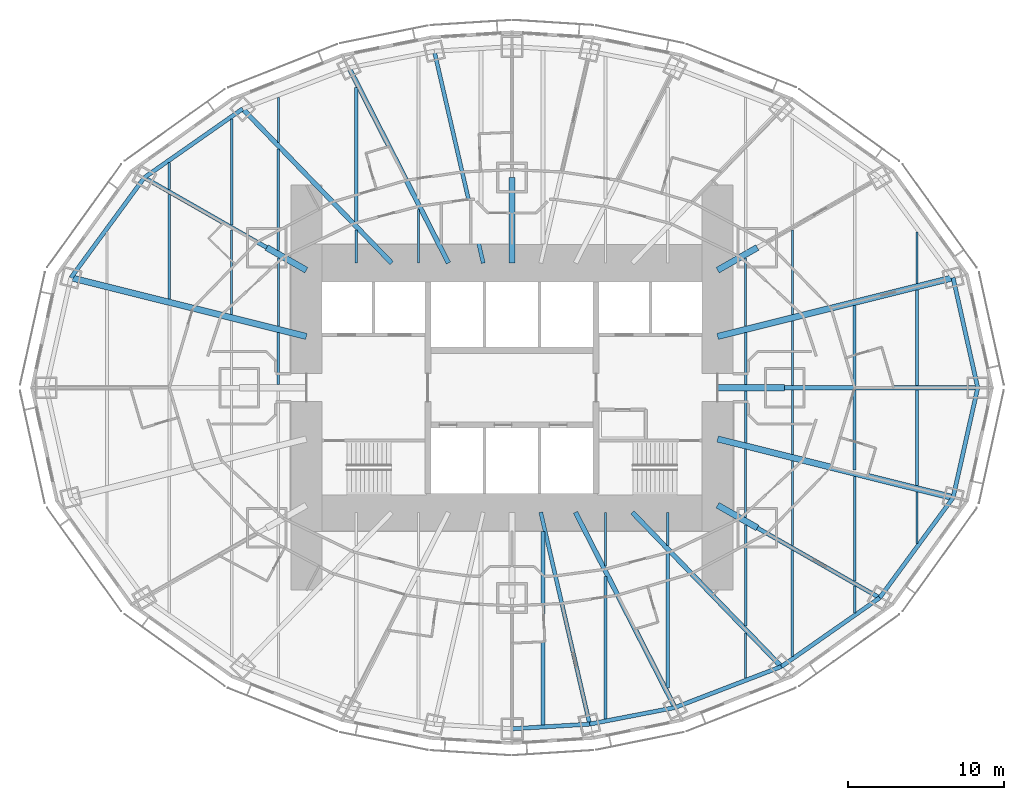
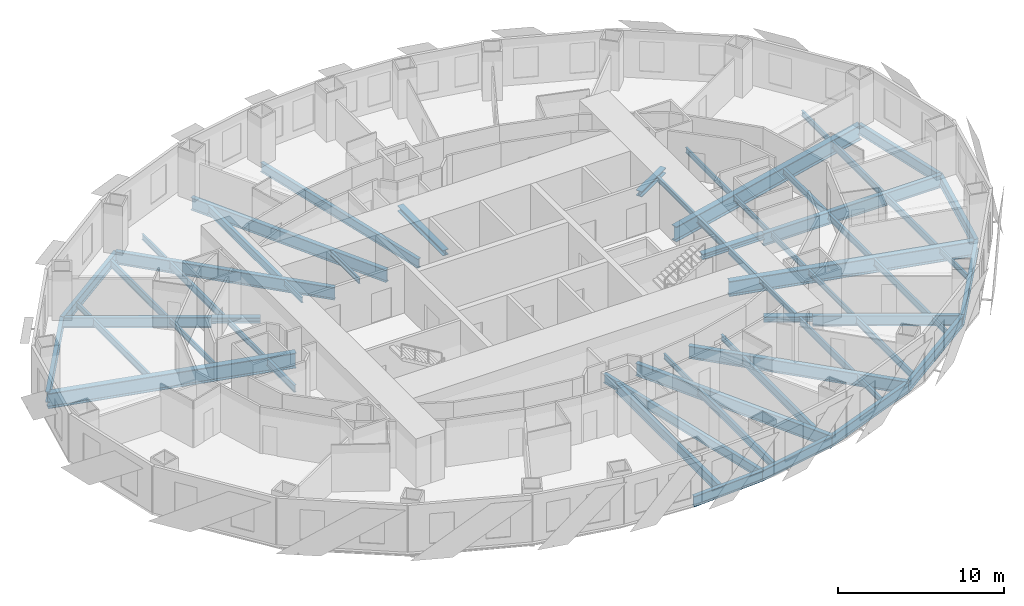
# One storey, part 2 of 15: 61 beams.
"""IFC4 building model written with IfcOpenShell, lengths in metres."""

from ifc_helpers import new_model, si_unit, direction, frame, origin, origin_2d, place, context, subcontext, project, spatial, i_section, extrude, material, material_profile, profile_set, type_object, element, save


model = new_model("IFC4")

# Units and contexts
model_context = context("Model", 3, precision=1e-05, world=origin(), true_north=direction((0.0, 1.0)))
body_context = subcontext(model_context, "Body", "Model", "MODEL_VIEW")
ifc_project = project(units=[si_unit("LENGTHUNIT", "METRE"), si_unit("AREAUNIT", "SQUARE_METRE"), si_unit("VOLUMEUNIT", "CUBIC_METRE"), si_unit("PLANEANGLEUNIT", "RADIAN"), si_unit("MASSUNIT", "GRAM", prefix="KILO")], contexts=[model_context])

# Site, building, storey
site_placement = place(None, origin())
site = spatial("IfcSite", under=ifc_project, at=site_placement, CompositionType="ELEMENT")
building_placement = place(site_placement, origin())
building = spatial("IfcBuilding", under=site, at=building_placement, Name="Lantaw Convention Tower", CompositionType="ELEMENT")
storey_placement = place(building_placement, frame((0.0, 0.0, 80.199951171875)))
storey = spatial("IfcBuildingStorey", under=building, at=storey_placement, Name="L18", CompositionType="ELEMENT", Elevation=80.199951171875)

# Beams
ifc_material = material(Name="Steel ASTM A992", Category="steel")
ifc_material_profile_1 = material_profile(ifc_material, i_section(OverallWidth=0.2666015625, OverallDepth=0.76953125, WebThickness=0.015625, FlangeThickness=0.025390625, FilletRadius=0.0126953125, at=origin_2d()), Name="W30X132")
ifc_profile_set_1 = profile_set([ifc_material_profile_1], Name="Steel ASTM A992")
beam_type_1 = type_object("IfcBeamType", Name="Beam E W30X132", PredefinedType="SPANDREL", material=ifc_profile_set_1)
beam_1_placement = place(storey_placement, frame((29.89990234375, 0.0, -0.53466796875), z_axis=(-0.218652184873, 0.975802860239, 0.0), x_axis=(-0.975802860239, -0.218652184873, 0.0)))
element("IfcBeam", 1, at=beam_1_placement, inside=storey, type_object=beam_type_1, Name="Edge beam 1", PredefinedType="SPANDREL", context=body_context, shape_type="SweptSolid", body=[
    extrude(i_section(OverallWidth=0.2666015625, OverallDepth=0.76953125, WebThickness=0.015625, FlangeThickness=0.025390625, FilletRadius=0.0126953125, at=origin_2d()), origin(), (0.0, 0.0, 1.0), 7.2353515625),
])
beam_2_placement = place(storey_placement, frame((-17.290771484375, 17.9052734375, -0.53466796875), z_axis=(-0.81942686407, -0.57318375277, 0.0), x_axis=(0.57318375277, -0.81942686407, 0.0)))
element("IfcBeam", 2, at=beam_2_placement, inside=storey, type_object=beam_type_1, Name="Edge beam 10", PredefinedType="SPANDREL", context=body_context, shape_type="SweptSolid", body=[
    extrude(i_section(OverallWidth=0.2666015625, OverallDepth=0.76953125, WebThickness=0.015625, FlangeThickness=0.025390625, FilletRadius=0.0126953125, at=origin_2d()), origin(), (0.0, 0.0, 1.0), 7.70556640625),
])
beam_3_placement = place(storey_placement, frame((-23.60498046875, 13.488525390625, -0.53466796875), z_axis=(-0.591270709086, -0.806473154281, 0.0), x_axis=(0.806473154281, -0.591270709086, 0.0)))
element("IfcBeam", 3, at=beam_3_placement, inside=storey, type_object=beam_type_1, Name="Edge beam 11", PredefinedType="SPANDREL", context=body_context, shape_type="SweptSolid", body=[
    extrude(i_section(OverallWidth=0.2666015625, OverallDepth=0.76953125, WebThickness=0.015625, FlangeThickness=0.025390625, FilletRadius=0.0126953125, at=origin_2d()), origin(), (0.0, 0.0, 1.0), 7.970703125),
])
beam_4_placement = place(storey_placement, frame((0.0, -21.89990234375, -0.53466796875), z_axis=(0.998173858406, 0.060406526096, 0.0), x_axis=(-0.060406526096, 0.998173858406, 0.0)))
element("IfcBeam", 4, at=beam_4_placement, inside=storey, type_object=beam_type_1, Name="Edge beam 19", PredefinedType="SPANDREL", context=body_context, shape_type="SweptSolid", body=[
    extrude(i_section(OverallWidth=0.2666015625, OverallDepth=0.76953125, WebThickness=0.015625, FlangeThickness=0.025390625, FilletRadius=0.0126953125, at=origin_2d()), origin(), (0.0, 0.0, 1.0), 4.995361328125),
])
beam_5_placement = place(storey_placement, frame((4.986328125, -21.59814453125, -0.53466796875), z_axis=(0.981636565323, 0.190760723474, 0.0), x_axis=(-0.190760723474, 0.981636565323, 0.0)))
element("IfcBeam", 5, at=beam_5_placement, inside=storey, type_object=beam_type_1, Name="Edge beam 20", PredefinedType="SPANDREL", context=body_context, shape_type="SweptSolid", body=[
    extrude(i_section(OverallWidth=0.2666015625, OverallDepth=0.76953125, WebThickness=0.015625, FlangeThickness=0.025390625, FilletRadius=0.0126953125, at=origin_2d()), origin(), (0.0, 0.0, 1.0), 5.578857421875),
])
beam_6_placement = place(storey_placement, frame((10.462646484375, -20.533935546875, -0.53466796875), z_axis=(0.933232900641, 0.359271976588, 0.0), x_axis=(-0.359271976588, 0.933232900641, 0.0)))
element("IfcBeam", 6, at=beam_6_placement, inside=storey, type_object=beam_type_1, Name="Edge beam 21", PredefinedType="SPANDREL", context=body_context, shape_type="SweptSolid", body=[
    extrude(i_section(OverallWidth=0.2666015625, OverallDepth=0.76953125, WebThickness=0.015625, FlangeThickness=0.025390625, FilletRadius=0.0126953125, at=origin_2d()), origin(), (0.0, 0.0, 1.0), 7.316650390625),
])
beam_7_placement = place(storey_placement, frame((17.290771484375, -17.9052734375, -0.53466796875), z_axis=(0.81942686407, 0.57318375277, 0.0), x_axis=(-0.57318375277, 0.81942686407, 0.0)))
element("IfcBeam", 7, at=beam_7_placement, inside=storey, type_object=beam_type_1, Name="Edge beam 22", PredefinedType="SPANDREL", context=body_context, shape_type="SweptSolid", body=[
    extrude(i_section(OverallWidth=0.2666015625, OverallDepth=0.76953125, WebThickness=0.015625, FlangeThickness=0.025390625, FilletRadius=0.0126953125, at=origin_2d()), origin(), (0.0, 0.0, 1.0), 7.70556640625),
])
beam_8_placement = place(storey_placement, frame((23.60498046875, -13.488525390625, -0.53466796875), z_axis=(0.591270709086, 0.806473154281, 0.0), x_axis=(-0.806473154281, 0.591270709086, 0.0)))
element("IfcBeam", 8, at=beam_8_placement, inside=storey, type_object=beam_type_1, Name="Edge beam 23", PredefinedType="SPANDREL", context=body_context, shape_type="SweptSolid", body=[
    extrude(i_section(OverallWidth=0.2666015625, OverallDepth=0.76953125, WebThickness=0.015625, FlangeThickness=0.025390625, FilletRadius=0.0126953125, at=origin_2d()), origin(), (0.0, 0.0, 1.0), 7.970703125),
])
beam_9_placement = place(storey_placement, frame((28.31787109375, -7.060302734375, -0.53466796875), z_axis=(0.218652184873, 0.975802860239, 0.0), x_axis=(-0.975802860239, 0.218652184873, 0.0)))
element("IfcBeam", 9, at=beam_9_placement, inside=storey, type_object=beam_type_1, Name="Edge beam 24", PredefinedType="SPANDREL", context=body_context, shape_type="SweptSolid", body=[
    extrude(i_section(OverallWidth=0.2666015625, OverallDepth=0.76953125, WebThickness=0.015625, FlangeThickness=0.025390625, FilletRadius=0.0126953125, at=origin_2d()), origin(), (0.0, 0.0, 1.0), 7.2353515625),
])
ifc_material_profile_2 = material_profile(ifc_material, i_section(OverallWidth=0.25390625, OverallDepth=0.683349609375, WebThickness=0.012451171875, FlangeThickness=0.01904296875, FilletRadius=0.01513671875, at=origin_2d()), Name="W27X94")
ifc_profile_set_2 = profile_set([ifc_material_profile_2], Name="Steel ASTM A992")
beam_type_2 = type_object("IfcBeamType", Name="Beam G W27X94", PredefinedType="BEAM", material=ifc_profile_set_2)
for number, where, z_axis, x_axis, name in (
    (10, (-1.846923828125, 8.0, -0.49169921875), (-0.224952773175, 0.97436966796, 0.0), (-0.97436966796, -0.224952773175, 0.0), "Floor girder on ray 8"),
    (11, (1.846923828125, -8.0, -0.49169921875), (0.224952773175, -0.97436966796, 0.0), (0.97436966796, 0.224952773175, 0.0), "Floor girder on ray 20"),
):
    element("IfcBeam", number, at=place(storey_placement, frame(where, z_axis=z_axis, x_axis=x_axis)), inside=storey, type_object=beam_type_2, Name=name, PredefinedType="BEAM", context=body_context, shape_type="SweptSolid", body=[
        extrude(i_section(OverallWidth=0.25390625, OverallDepth=0.683349609375, WebThickness=0.012451171875, FlangeThickness=0.01904296875, FilletRadius=0.01513671875, at=origin_2d()), origin(), (0.0, 0.0, 1.0), 13.955810546875),
    ])
ifc_material_profile_3 = material_profile(ifc_material, i_section(OverallWidth=0.2666015625, OverallDepth=0.7568359375, WebThickness=0.013916015625, FlangeThickness=0.019287109375, FilletRadius=0.0126953125, at=origin_2d()), Name="W30X108")
ifc_profile_set_3 = profile_set([ifc_material_profile_3], Name="Steel ASTM A992")
beam_type_3 = type_object("IfcBeamType", Name="Beam G W30X108", PredefinedType="BEAM", material=ifc_profile_set_3)
for number, where, z_axis, x_axis, name in (
    (12, (-15.75, 9.0, -0.5283203125), (-0.868244802791, 0.496136032179, 0.0), (-0.496136032179, -0.868244802791, 0.0), "Floor girder on ray 11"),
    (13, (15.75, -9.0, -0.5283203125), (0.868244802791, -0.496136032179, 0.0), (0.496136032179, 0.868244802791, 0.0), "Floor girder on ray 23"),
):
    element("IfcBeam", number, at=place(storey_placement, frame(where, z_axis=z_axis, x_axis=x_axis)), inside=storey, type_object=beam_type_3, Name=name, PredefinedType="BEAM", context=body_context, shape_type="SweptSolid", body=[
        extrude(i_section(OverallWidth=0.2666015625, OverallDepth=0.7568359375, WebThickness=0.013916015625, FlangeThickness=0.019287109375, FilletRadius=0.0126953125, at=origin_2d()), origin(), (0.0, 0.0, 1.0), 9.046875),
    ])
ifc_material_profile_4 = material_profile(ifc_material, i_section(OverallWidth=0.307373046875, OverallDepth=0.922119140625, WebThickness=0.018310546875, FlangeThickness=0.030029296875, FilletRadius=0.0126953125, at=origin_2d()), Name="W36X182")
ifc_profile_set_4 = profile_set([ifc_material_profile_4], Name="Steel ASTM A992")
beam_type_4 = type_object("IfcBeamType", Name="Beam G W36X182", PredefinedType="BEAM", material=ifc_profile_set_4)
beam_10_placement = place(storey_placement, frame((17.5, 0.0, -0.61083984375), z_axis=(1.0, 0.0, 0.0), x_axis=(0.0, 1.0, 0.0)))
element("IfcBeam", 14, at=beam_10_placement, inside=storey, type_object=beam_type_4, Name="Floor girder on ray 1", PredefinedType="BEAM", context=body_context, shape_type="SweptSolid", body=[
    extrude(i_section(OverallWidth=0.307373046875, OverallDepth=0.922119140625, WebThickness=0.018310546875, FlangeThickness=0.030029296875, FilletRadius=0.0126953125, at=origin_2d()), origin(), (0.0, 0.0, 1.0), 12.39990234375),
])
beam_11_placement = place(storey_placement, frame((-4.076171875, 8.0, -0.61083984375), z_axis=(-0.453997016122, 0.891003203896, 0.0), x_axis=(-0.891003203896, -0.453997016122, 0.0)))
element("IfcBeam", 15, at=beam_11_placement, inside=storey, type_object=beam_type_4, Name="Floor girder on ray 9", PredefinedType="BEAM", context=body_context, shape_type="SweptSolid", body=[
    extrude(i_section(OverallWidth=0.307373046875, OverallDepth=0.922119140625, WebThickness=0.018310546875, FlangeThickness=0.030029296875, FilletRadius=0.0126953125, at=origin_2d()), origin(), (0.0, 0.0, 1.0), 14.067138671875),
])
beam_12_placement = place(storey_placement, frame((-7.7255859375, 8.0, -0.61083984375), z_axis=(-0.694649884291, 0.719347995239, 0.0), x_axis=(-0.719347995239, -0.694649884291, 0.0)))
element("IfcBeam", 16, at=beam_12_placement, inside=storey, type_object=beam_type_4, Name="Floor girder on ray 10", PredefinedType="BEAM", context=body_context, shape_type="SweptSolid", body=[
    extrude(i_section(OverallWidth=0.307373046875, OverallDepth=0.922119140625, WebThickness=0.018310546875, FlangeThickness=0.030029296875, FilletRadius=0.0126953125, at=origin_2d()), origin(), (0.0, 0.0, 1.0), 13.769775390625),
])
beam_13_placement = place(storey_placement, frame((4.076171875, -8.0, -0.61083984375), z_axis=(0.453997016122, -0.891003203896, 0.0), x_axis=(0.891003203896, 0.453997016122, 0.0)))
element("IfcBeam", 17, at=beam_13_placement, inside=storey, type_object=beam_type_4, Name="Floor girder on ray 21", PredefinedType="BEAM", context=body_context, shape_type="SweptSolid", body=[
    extrude(i_section(OverallWidth=0.307373046875, OverallDepth=0.922119140625, WebThickness=0.018310546875, FlangeThickness=0.030029296875, FilletRadius=0.0126953125, at=origin_2d()), origin(), (0.0, 0.0, 1.0), 14.067138671875),
])
beam_14_placement = place(storey_placement, frame((7.7255859375, -8.0, -0.61083984375), z_axis=(0.694649884291, -0.719347995239, 0.0), x_axis=(0.719347995239, 0.694649884291, 0.0)))
element("IfcBeam", 18, at=beam_14_placement, inside=storey, type_object=beam_type_4, Name="Floor girder on ray 22", PredefinedType="BEAM", context=body_context, shape_type="SweptSolid", body=[
    extrude(i_section(OverallWidth=0.307373046875, OverallDepth=0.922119140625, WebThickness=0.018310546875, FlangeThickness=0.030029296875, FilletRadius=0.0126953125, at=origin_2d()), origin(), (0.0, 0.0, 1.0), 13.769775390625),
])
ifc_material_profile_5 = material_profile(ifc_material, i_section(OverallWidth=0.40380859375, OverallDepth=1.11767578125, WebThickness=0.026123046875, FlangeThickness=0.044921875, FilletRadius=0.02001953125, at=origin_2d()), Name="W44X335")
ifc_profile_set_5 = profile_set([ifc_material_profile_5], Name="Steel ASTM A992")
beam_type_5 = type_object("IfcBeamType", Name="Beam G W44X335", PredefinedType="BEAM", material=ifc_profile_set_5)
for number, where, z_axis, x_axis, name in (
    (19, (13.199951171875, 3.291015625, -0.708740234375), (0.970296233567, 0.241919860957, 0.0), (-0.241919860957, 0.970296233567, 0.0), "Floor girder on ray 2"),
    (20, (-13.199951171875, 3.291015625, -0.708740234375), (-0.970296233567, 0.241919860957, 0.0), (-0.241919860957, -0.970296233567, 0.0), "Floor girder on ray 12"),
    (21, (13.199951171875, -3.291015625, -0.708740234375), (0.970296233567, -0.241919860957, 0.0), (0.241919860957, 0.970296233567, 0.0), "Floor girder on ray 24"),
):
    element("IfcBeam", number, at=place(storey_placement, frame(where, z_axis=z_axis, x_axis=x_axis)), inside=storey, type_object=beam_type_5, Name=name, PredefinedType="BEAM", context=body_context, shape_type="SweptSolid", body=[
        extrude(i_section(OverallWidth=0.40380859375, OverallDepth=1.11767578125, WebThickness=0.026123046875, FlangeThickness=0.044921875, FilletRadius=0.02001953125, at=origin_2d()), origin(), (0.0, 0.0, 1.0), 15.580810546875),
    ])
ifc_material_profile_6 = material_profile(ifc_material, i_section(OverallWidth=0.40380859375, OverallDepth=0.406494140625, WebThickness=0.027099609375, FlangeThickness=0.043701171875, FilletRadius=0.01513671875, at=origin_2d()), Name="W14X233")
ifc_profile_set_6 = profile_set([ifc_material_profile_6], Name="Steel ASTM A992")
beam_type_6 = type_object("IfcBeamType", Name="Beam GM W14X233", PredefinedType="BEAM", material=ifc_profile_set_6)
beam_15_placement = place(storey_placement, frame((13.199951171875, 0.0, -0.353271484375), z_axis=(1.0, 0.0, 0.0), x_axis=(0.0, 1.0, 0.0)))
element("IfcBeam", 22, at=beam_15_placement, inside=storey, type_object=beam_type_6, Name="Core link beam on ray 1", PredefinedType="BEAM", context=body_context, shape_type="SweptSolid", body=[
    extrude(i_section(OverallWidth=0.40380859375, OverallDepth=0.406494140625, WebThickness=0.027099609375, FlangeThickness=0.043701171875, FilletRadius=0.01513671875, at=origin_2d()), origin(), (0.0, 0.0, 1.0), 4.300048828125),
])
beam_16_placement = place(storey_placement, frame((13.199951171875, 7.54296875, -0.353271484375), z_axis=(0.868263603466, 0.496103129295, 0.0), x_axis=(-0.496103129295, 0.868263603466, 0.0)))
element("IfcBeam", 23, at=beam_16_placement, inside=storey, type_object=beam_type_6, Name="Core link beam on ray 3", PredefinedType="BEAM", context=body_context, shape_type="SweptSolid", body=[
    extrude(i_section(OverallWidth=0.40380859375, OverallDepth=0.406494140625, WebThickness=0.027099609375, FlangeThickness=0.043701171875, FilletRadius=0.01513671875, at=origin_2d()), origin(), (0.0, 0.0, 1.0), 2.93701171875),
])
beam_17_placement = place(storey_placement, frame((0.0, 8.0, -0.353271484375), z_axis=(0.0, 1.0, 0.0), x_axis=(-1.0, 0.0, 0.0)))
element("IfcBeam", 24, at=beam_17_placement, inside=storey, type_object=beam_type_6, Name="Core link beam on ray 7", PredefinedType="BEAM", context=body_context, shape_type="SweptSolid", body=[
    extrude(i_section(OverallWidth=0.40380859375, OverallDepth=0.406494140625, WebThickness=0.027099609375, FlangeThickness=0.043701171875, FilletRadius=0.01513671875, at=origin_2d()), origin(), (0.0, 0.0, 1.0), 5.5),
])
for number, where, z_axis, x_axis, name in (
    (25, (-13.199951171875, 7.54296875, -0.353271484375), (-0.868263603466, 0.496103129295, 0.0), (-0.496103129295, -0.868263603466, 0.0), "Core link beam on ray 11"),
    (26, (13.199951171875, -7.54296875, -0.353271484375), (0.868263603466, -0.496103129295, 0.0), (0.496103129295, 0.868263603466, 0.0), "Core link beam on ray 23"),
):
    element("IfcBeam", number, at=place(storey_placement, frame(where, z_axis=z_axis, x_axis=x_axis)), inside=storey, type_object=beam_type_6, Name=name, PredefinedType="BEAM", context=body_context, shape_type="SweptSolid", body=[
        extrude(i_section(OverallWidth=0.40380859375, OverallDepth=0.406494140625, WebThickness=0.027099609375, FlangeThickness=0.043701171875, FilletRadius=0.01513671875, at=origin_2d()), origin(), (0.0, 0.0, 1.0), 2.93701171875),
    ])
ifc_material_profile_7 = material_profile(ifc_material, i_section(OverallWidth=0.140380859375, OverallDepth=0.40380859375, WebThickness=0.007080078125, FlangeThickness=0.01123046875, FilletRadius=0.01025390625, at=origin_2d()), Name="W16X31")
ifc_profile_set_7 = profile_set([ifc_material_profile_7], Name="Steel ASTM A992")
beam_type_7 = type_object("IfcBeamType", Name="Beam J W16X31", PredefinedType="JOIST", material=ifc_profile_set_7)
beam_18_placement = place(storey_placement, frame((-22.0, 12.72509765625, -0.351806640625), z_axis=(0.0, 1.0, 0.0), x_axis=(-1.0, 0.0, 0.0)))
element("IfcBeam", 27, at=beam_18_placement, inside=storey, type_object=beam_type_7, Name="Floor joist", PredefinedType="JOIST", context=body_context, shape_type="SweptSolid", body=[
    extrude(i_section(OverallWidth=0.140380859375, OverallDepth=0.40380859375, WebThickness=0.007080078125, FlangeThickness=0.01123046875, FilletRadius=0.01025390625, at=origin_2d()), origin(), (0.0, 0.0, 1.0), 1.723388671875),
])
beam_19_placement = place(storey_placement, frame((-18.0, 4.696044921875, -0.351806640625), z_axis=(0.0, 1.0, 0.0), x_axis=(-1.0, 0.0, 0.0)))
element("IfcBeam", 28, at=beam_19_placement, inside=storey, type_object=beam_type_7, Name="Floor joist", PredefinedType="JOIST", context=body_context, shape_type="SweptSolid", body=[
    extrude(i_section(OverallWidth=0.140380859375, OverallDepth=0.40380859375, WebThickness=0.007080078125, FlangeThickness=0.01123046875, FilletRadius=0.01025390625, at=origin_2d()), origin(), (0.0, 0.0, 1.0), 5.43603515625),
])
beam_20_placement = place(storey_placement, frame((-15.0, 3.947998046875, -0.351806640625), z_axis=(0.0, 1.0, 0.0), x_axis=(-1.0, 0.0, 0.0)))
element("IfcBeam", 29, at=beam_20_placement, inside=storey, type_object=beam_type_7, Name="Floor joist", PredefinedType="JOIST", context=body_context, shape_type="SweptSolid", body=[
    extrude(i_section(OverallWidth=0.140380859375, OverallDepth=0.40380859375, WebThickness=0.007080078125, FlangeThickness=0.01123046875, FilletRadius=0.01025390625, at=origin_2d()), origin(), (0.0, 0.0, 1.0), 4.390869140625),
])
beam_21_placement = place(storey_placement, frame((-15.0, 15.754150390625, -0.351806640625), z_axis=(0.0, 1.0, 0.0), x_axis=(-1.0, 0.0, 0.0)))
element("IfcBeam", 30, at=beam_21_placement, inside=storey, type_object=beam_type_7, Name="Floor joist", PredefinedType="JOIST", context=body_context, shape_type="SweptSolid", body=[
    extrude(i_section(OverallWidth=0.140380859375, OverallDepth=0.40380859375, WebThickness=0.007080078125, FlangeThickness=0.01123046875, FilletRadius=0.01025390625, at=origin_2d()), origin(), (0.0, 0.0, 1.0), 2.89013671875),
])
beam_22_placement = place(storey_placement, frame((-10.0, 8.0, -0.351806640625), z_axis=(0.0, 1.0, 0.0), x_axis=(-1.0, 0.0, 0.0)))
element("IfcBeam", 31, at=beam_22_placement, inside=storey, type_object=beam_type_7, Name="Floor joist", PredefinedType="JOIST", context=body_context, shape_type="SweptSolid", body=[
    extrude(i_section(OverallWidth=0.140380859375, OverallDepth=0.40380859375, WebThickness=0.007080078125, FlangeThickness=0.01123046875, FilletRadius=0.01025390625, at=origin_2d()), origin(), (0.0, 0.0, 1.0), 2.134033203125),
])
for number, where, z_axis, x_axis, name in (
    (32, (-6.0, 8.0, -0.351806640625), (0.0, 1.0, 0.0), (-1.0, 0.0, 0.0), "Floor joist"),
    (33, (6.0, -11.437255859375, -0.351806640625), (0.0, 1.0, 0.0), (-1.0, 0.0, 0.0), "Floor joist"),
):
    element("IfcBeam", number, at=place(storey_placement, frame(where, z_axis=z_axis, x_axis=x_axis)), inside=storey, type_object=beam_type_7, Name=name, PredefinedType="JOIST", context=body_context, shape_type="SweptSolid", body=[
        extrude(i_section(OverallWidth=0.140380859375, OverallDepth=0.40380859375, WebThickness=0.007080078125, FlangeThickness=0.01123046875, FilletRadius=0.01025390625, at=origin_2d()), origin(), (0.0, 0.0, 1.0), 3.437255859375),
    ])
beam_23_placement = place(storey_placement, frame((10.0, -10.134033203125, -0.351806640625), z_axis=(0.0, 1.0, 0.0), x_axis=(-1.0, 0.0, 0.0)))
element("IfcBeam", 34, at=beam_23_placement, inside=storey, type_object=beam_type_7, Name="Floor joist", PredefinedType="JOIST", context=body_context, shape_type="SweptSolid", body=[
    extrude(i_section(OverallWidth=0.140380859375, OverallDepth=0.40380859375, WebThickness=0.007080078125, FlangeThickness=0.01123046875, FilletRadius=0.01025390625, at=origin_2d()), origin(), (0.0, 0.0, 1.0), 2.134033203125),
])
beam_24_placement = place(storey_placement, frame((15.0, -18.644287109375, -0.351806640625), z_axis=(0.0, 1.0, 0.0), x_axis=(-1.0, 0.0, 0.0)))
element("IfcBeam", 35, at=beam_24_placement, inside=storey, type_object=beam_type_7, Name="Floor joist", PredefinedType="JOIST", context=body_context, shape_type="SweptSolid", body=[
    extrude(i_section(OverallWidth=0.140380859375, OverallDepth=0.40380859375, WebThickness=0.007080078125, FlangeThickness=0.01123046875, FilletRadius=0.01025390625, at=origin_2d()), origin(), (0.0, 0.0, 1.0), 2.89013671875),
])
for number, where, z_axis, x_axis, name in (
    (36, (15.0, -8.3388671875, -0.351806640625), (0.0, 1.0, 0.0), (-1.0, 0.0, 0.0), "Floor joist"),
    (37, (15.0, 3.947998046875, -0.351806640625), (0.0, 1.0, 0.0), (-1.0, 0.0, 0.0), "Floor joist"),
):
    element("IfcBeam", number, at=place(storey_placement, frame(where, z_axis=z_axis, x_axis=x_axis)), inside=storey, type_object=beam_type_7, Name=name, PredefinedType="JOIST", context=body_context, shape_type="SweptSolid", body=[
        extrude(i_section(OverallWidth=0.140380859375, OverallDepth=0.40380859375, WebThickness=0.007080078125, FlangeThickness=0.01123046875, FilletRadius=0.01025390625, at=origin_2d()), origin(), (0.0, 0.0, 1.0), 4.390869140625),
    ])
beam_25_placement = place(storey_placement, frame((18.0, -10.132080078125, -0.351806640625), z_axis=(0.0, 1.0, 0.0), x_axis=(-1.0, 0.0, 0.0)))
element("IfcBeam", 38, at=beam_25_placement, inside=storey, type_object=beam_type_7, Name="Floor joist", PredefinedType="JOIST", context=body_context, shape_type="SweptSolid", body=[
    extrude(i_section(OverallWidth=0.140380859375, OverallDepth=0.40380859375, WebThickness=0.007080078125, FlangeThickness=0.01123046875, FilletRadius=0.01025390625, at=origin_2d()), origin(), (0.0, 0.0, 1.0), 5.43603515625),
])
for number, where, z_axis, x_axis, name in (
    (39, (18.0, -4.27978515625, -0.351806640625), (0.0, 1.0, 0.0), (-1.0, 0.0, 0.0), "Floor joist"),
    (40, (18.0, 0.153564453125, -0.351806640625), (0.0, 1.0, 0.0), (-1.0, 0.0, 0.0), "Floor joist"),
):
    element("IfcBeam", number, at=place(storey_placement, frame(where, z_axis=z_axis, x_axis=x_axis)), inside=storey, type_object=beam_type_7, Name=name, PredefinedType="JOIST", context=body_context, shape_type="SweptSolid", body=[
        extrude(i_section(OverallWidth=0.140380859375, OverallDepth=0.40380859375, WebThickness=0.007080078125, FlangeThickness=0.01123046875, FilletRadius=0.01025390625, at=origin_2d()), origin(), (0.0, 0.0, 1.0), 4.126220703125),
    ])
beam_26_placement = place(storey_placement, frame((18.0, 4.696044921875, -0.351806640625), z_axis=(0.0, 1.0, 0.0), x_axis=(-1.0, 0.0, 0.0)))
element("IfcBeam", 41, at=beam_26_placement, inside=storey, type_object=beam_type_7, Name="Floor joist", PredefinedType="JOIST", context=body_context, shape_type="SweptSolid", body=[
    extrude(i_section(OverallWidth=0.140380859375, OverallDepth=0.40380859375, WebThickness=0.007080078125, FlangeThickness=0.01123046875, FilletRadius=0.01025390625, at=origin_2d()), origin(), (0.0, 0.0, 1.0), 5.43603515625),
])
beam_27_placement = place(storey_placement, frame((22.0, -14.448486328125, -0.351806640625), z_axis=(0.0, 1.0, 0.0), x_axis=(-1.0, 0.0, 0.0)))
element("IfcBeam", 42, at=beam_27_placement, inside=storey, type_object=beam_type_7, Name="Floor joist", PredefinedType="JOIST", context=body_context, shape_type="SweptSolid", body=[
    extrude(i_section(OverallWidth=0.140380859375, OverallDepth=0.40380859375, WebThickness=0.007080078125, FlangeThickness=0.01123046875, FilletRadius=0.01025390625, at=origin_2d()), origin(), (0.0, 0.0, 1.0), 1.723388671875),
])
for number, where, z_axis, x_axis, name in (
    (43, (26.0, -9.996337890625, -0.351806640625), (0.0, 1.0, 0.0), (-1.0, 0.0, 0.0), "Floor joist"),
    (44, (26.0, 6.690673828125, -0.351806640625), (0.0, 1.0, 0.0), (-1.0, 0.0, 0.0), "Floor joist"),
):
    element("IfcBeam", number, at=place(storey_placement, frame(where, z_axis=z_axis, x_axis=x_axis)), inside=storey, type_object=beam_type_7, Name=name, PredefinedType="JOIST", context=body_context, shape_type="SweptSolid", body=[
        extrude(i_section(OverallWidth=0.140380859375, OverallDepth=0.40380859375, WebThickness=0.007080078125, FlangeThickness=0.01123046875, FilletRadius=0.01025390625, at=origin_2d()), origin(), (0.0, 0.0, 1.0), 3.3056640625),
    ])
ifc_material_profile_8 = material_profile(ifc_material, i_section(OverallWidth=0.1904296875, OverallDepth=0.457275390625, WebThickness=0.009033203125, FlangeThickness=0.014404296875, FilletRadius=0.01025390625, at=origin_2d()), Name="W18X50")
ifc_profile_set_8 = profile_set([ifc_material_profile_8], Name="Steel ASTM A992")
beam_type_8 = type_object("IfcBeamType", Name="Beam J W18X50", PredefinedType="JOIST", material=ifc_profile_set_8)
for number, where, z_axis, x_axis, name in (
    (45, (22.0, -5.277099609375, -0.378662109375), (0.0, 1.0, 0.0), (-1.0, 0.0, 0.0), "Floor joist"),
    (46, (22.0, 0.153564453125, -0.378662109375), (0.0, 1.0, 0.0), (-1.0, 0.0, 0.0), "Floor joist"),
):
    element("IfcBeam", number, at=place(storey_placement, frame(where, z_axis=z_axis, x_axis=x_axis)), inside=storey, type_object=beam_type_8, Name=name, PredefinedType="JOIST", context=body_context, shape_type="SweptSolid", body=[
        extrude(i_section(OverallWidth=0.1904296875, OverallDepth=0.457275390625, WebThickness=0.009033203125, FlangeThickness=0.014404296875, FilletRadius=0.01025390625, at=origin_2d()), origin(), (0.0, 0.0, 1.0), 5.12353515625),
    ])
ifc_material_profile_9 = material_profile(ifc_material, i_section(OverallWidth=0.1650390625, OverallDepth=0.52587890625, WebThickness=0.0087890625, FlangeThickness=0.011474609375, FilletRadius=0.0126953125, at=origin_2d()), Name="W21X44")
ifc_profile_set_9 = profile_set([ifc_material_profile_9], Name="Steel ASTM A992")
beam_type_9 = type_object("IfcBeamType", Name="Beam J W21X44", PredefinedType="JOIST", material=ifc_profile_set_9)
beam_28_placement = place(storey_placement, frame((-22.0, 5.693359375, -0.412841796875), z_axis=(0.0, 1.0, 0.0), x_axis=(-1.0, 0.0, 0.0)))
element("IfcBeam", 47, at=beam_28_placement, inside=storey, type_object=beam_type_9, Name="Floor joist", PredefinedType="JOIST", context=body_context, shape_type="SweptSolid", body=[
    extrude(i_section(OverallWidth=0.1650390625, OverallDepth=0.52587890625, WebThickness=0.0087890625, FlangeThickness=0.011474609375, FilletRadius=0.0126953125, at=origin_2d()), origin(), (0.0, 0.0, 1.0), 6.724609375),
])
beam_29_placement = place(storey_placement, frame((-18.0, 10.439208984375, -0.412841796875), z_axis=(0.0, 1.0, 0.0), x_axis=(-1.0, 0.0, 0.0)))
element("IfcBeam", 48, at=beam_29_placement, inside=storey, type_object=beam_type_9, Name="Floor joist", PredefinedType="JOIST", context=body_context, shape_type="SweptSolid", body=[
    extrude(i_section(OverallWidth=0.1650390625, OverallDepth=0.52587890625, WebThickness=0.0087890625, FlangeThickness=0.011474609375, FilletRadius=0.0126953125, at=origin_2d()), origin(), (0.0, 0.0, 1.0), 6.80712890625),
])
for number, where, z_axis, x_axis, name in (
    (49, (-15.0, 8.803955078125, -0.412841796875), (0.0, 1.0, 0.0), (-1.0, 0.0, 0.0), "Floor joist"),
    (50, (15.0, -15.311767578125, -0.412841796875), (0.0, 1.0, 0.0), (-1.0, 0.0, 0.0), "Floor joist"),
):
    element("IfcBeam", number, at=place(storey_placement, frame(where, z_axis=z_axis, x_axis=x_axis)), inside=storey, type_object=beam_type_9, Name=name, PredefinedType="JOIST", context=body_context, shape_type="SweptSolid", body=[
        extrude(i_section(OverallWidth=0.1650390625, OverallDepth=0.52587890625, WebThickness=0.0087890625, FlangeThickness=0.011474609375, FilletRadius=0.0126953125, at=origin_2d()), origin(), (0.0, 0.0, 1.0), 6.5078125),
    ])
beam_30_placement = place(storey_placement, frame((18.0, -17.246337890625, -0.412841796875), z_axis=(0.0, 1.0, 0.0), x_axis=(-1.0, 0.0, 0.0)))
element("IfcBeam", 51, at=beam_30_placement, inside=storey, type_object=beam_type_9, Name="Floor joist", PredefinedType="JOIST", context=body_context, shape_type="SweptSolid", body=[
    extrude(i_section(OverallWidth=0.1650390625, OverallDepth=0.52587890625, WebThickness=0.0087890625, FlangeThickness=0.011474609375, FilletRadius=0.0126953125, at=origin_2d()), origin(), (0.0, 0.0, 1.0), 6.80712890625),
])
beam_31_placement = place(storey_placement, frame((22.0, -12.41796875, -0.412841796875), z_axis=(0.0, 1.0, 0.0), x_axis=(-1.0, 0.0, 0.0)))
element("IfcBeam", 52, at=beam_31_placement, inside=storey, type_object=beam_type_9, Name="Floor joist", PredefinedType="JOIST", context=body_context, shape_type="SweptSolid", body=[
    extrude(i_section(OverallWidth=0.1650390625, OverallDepth=0.52587890625, WebThickness=0.0087890625, FlangeThickness=0.011474609375, FilletRadius=0.0126953125, at=origin_2d()), origin(), (0.0, 0.0, 1.0), 6.724609375),
])
ifc_material_profile_10 = material_profile(ifc_material, i_section(OverallWidth=0.165771484375, OverallDepth=0.5283203125, WebThickness=0.009765625, FlangeThickness=0.013671875, FilletRadius=0.012939453125, at=origin_2d()), Name="W21X50")
ifc_profile_set_10 = profile_set([ifc_material_profile_10], Name="Steel ASTM A992")
beam_type_10 = type_object("IfcBeamType", Name="Beam J W21X50", PredefinedType="JOIST", material=ifc_profile_set_10)
for number, where, z_axis, x_axis, name in (
    (53, (-15.0, 0.201904296875, -0.4140625), (0.0, 1.0, 0.0), (-1.0, 0.0, 0.0), "Floor joist"),
    (54, (15.0, -3.53173828125, -0.4140625), (0.0, 1.0, 0.0), (-1.0, 0.0, 0.0), "Floor joist"),
    (55, (15.0, 0.201904296875, -0.4140625), (0.0, 1.0, 0.0), (-1.0, 0.0, 0.0), "Floor joist"),
):
    element("IfcBeam", number, at=place(storey_placement, frame(where, z_axis=z_axis, x_axis=x_axis)), inside=storey, type_object=beam_type_10, Name=name, PredefinedType="JOIST", context=body_context, shape_type="SweptSolid", body=[
        extrude(i_section(OverallWidth=0.165771484375, OverallDepth=0.5283203125, WebThickness=0.009765625, FlangeThickness=0.013671875, FilletRadius=0.012939453125, at=origin_2d()), origin(), (0.0, 0.0, 1.0), 3.329833984375),
    ])
for number, where, z_axis, x_axis, name in (
    (56, (26.0, -6.2744140625, -0.4140625), (0.0, 1.0, 0.0), (-1.0, 0.0, 0.0), "Floor joist"),
    (57, (26.0, 0.153564453125, -0.4140625), (0.0, 1.0, 0.0), (-1.0, 0.0, 0.0), "Floor joist"),
):
    element("IfcBeam", number, at=place(storey_placement, frame(where, z_axis=z_axis, x_axis=x_axis)), inside=storey, type_object=beam_type_10, Name=name, PredefinedType="JOIST", context=body_context, shape_type="SweptSolid", body=[
        extrude(i_section(OverallWidth=0.165771484375, OverallDepth=0.5283203125, WebThickness=0.009765625, FlangeThickness=0.013671875, FilletRadius=0.012939453125, at=origin_2d()), origin(), (0.0, 0.0, 1.0), 6.120849609375),
    ])
ifc_material_profile_11 = material_profile(ifc_material, i_section(OverallWidth=0.2099609375, OverallDepth=0.535888671875, WebThickness=0.010986328125, FlangeThickness=0.017333984375, FilletRadius=0.012939453125, at=origin_2d()), Name="W21X68")
ifc_profile_set_11 = profile_set([ifc_material_profile_11], Name="Steel ASTM A992")
beam_type_11 = type_object("IfcBeamType", Name="Beam J W21X68", PredefinedType="JOIST", material=ifc_profile_set_11)
beam_32_placement = place(storey_placement, frame((6.0, -21.26513671875, -0.41796875), z_axis=(0.0, 1.0, 0.0), x_axis=(-1.0, 0.0, 0.0)))
element("IfcBeam", 58, at=beam_32_placement, inside=storey, type_object=beam_type_11, Name="Floor joist", PredefinedType="JOIST", context=body_context, shape_type="SweptSolid", body=[
    extrude(i_section(OverallWidth=0.2099609375, OverallDepth=0.535888671875, WebThickness=0.010986328125, FlangeThickness=0.017333984375, FilletRadius=0.012939453125, at=origin_2d()), origin(), (0.0, 0.0, 1.0), 9.15087890625),
])
ifc_material_profile_12 = material_profile(ifc_material, i_section(OverallWidth=0.227783203125, OverallDepth=0.60205078125, WebThickness=0.010498046875, FlangeThickness=0.014892578125, FilletRadius=0.012939453125, at=origin_2d()), Name="W24X68")
ifc_profile_set_12 = profile_set([ifc_material_profile_12], Name="Steel ASTM A992")
beam_type_12 = type_object("IfcBeamType", Name="Beam J W24X68", PredefinedType="JOIST", material=ifc_profile_set_12)
for number, where, z_axis, x_axis, name in (
    (59, (-10.0, 10.576416015625, -0.450927734375), (0.0, 1.0, 0.0), (-1.0, 0.0, 0.0), "Floor joist"),
    (60, (10.0, -19.28759765625, -0.450927734375), (0.0, 1.0, 0.0), (-1.0, 0.0, 0.0), "Floor joist"),
):
    element("IfcBeam", number, at=place(storey_placement, frame(where, z_axis=z_axis, x_axis=x_axis)), inside=storey, type_object=beam_type_12, Name=name, PredefinedType="JOIST", context=body_context, shape_type="SweptSolid", body=[
        extrude(i_section(OverallWidth=0.227783203125, OverallDepth=0.60205078125, WebThickness=0.010498046875, FlangeThickness=0.014892578125, FilletRadius=0.012939453125, at=origin_2d()), origin(), (0.0, 0.0, 1.0), 8.711181640625),
    ])
ifc_material_profile_13 = material_profile(ifc_material, i_section(OverallWidth=0.25390625, OverallDepth=0.700927734375, WebThickness=0.015380859375, FlangeThickness=0.02783203125, FilletRadius=0.01513671875, at=origin_2d()), Name="W27X129")
ifc_profile_set_13 = profile_set([ifc_material_profile_13], Name="Steel ASTM A992")
beam_type_13 = type_object("IfcBeamType", Name="Beam J W27X129", PredefinedType="JOIST", material=ifc_profile_set_13)
beam_33_placement = place(storey_placement, frame((2.0, -21.645263671875, -0.50048828125), z_axis=(0.0, 1.0, 0.0), x_axis=(-1.0, 0.0, 0.0)))
element("IfcBeam", 61, at=beam_33_placement, inside=storey, type_object=beam_type_13, Name="Floor joist", PredefinedType="JOIST", context=body_context, shape_type="SweptSolid", body=[
    extrude(i_section(OverallWidth=0.25390625, OverallDepth=0.700927734375, WebThickness=0.015380859375, FlangeThickness=0.02783203125, FilletRadius=0.01513671875, at=origin_2d()), origin(), (0.0, 0.0, 1.0), 12.417724609375),
])

save(model, "model.ifc")
